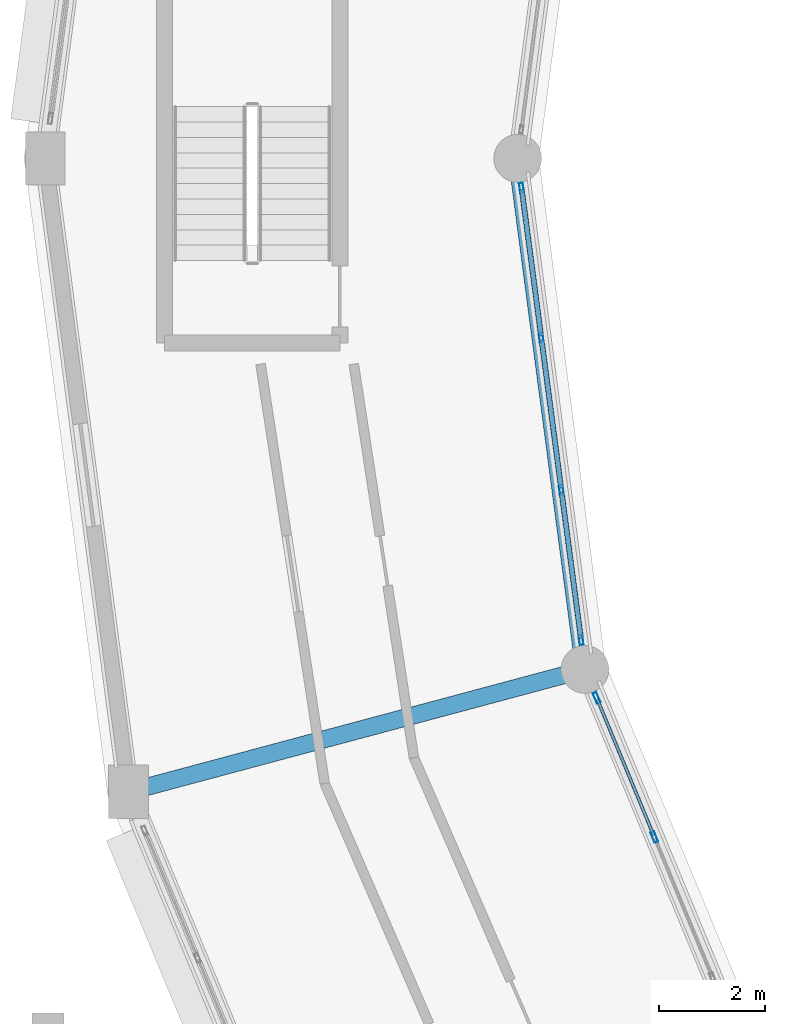
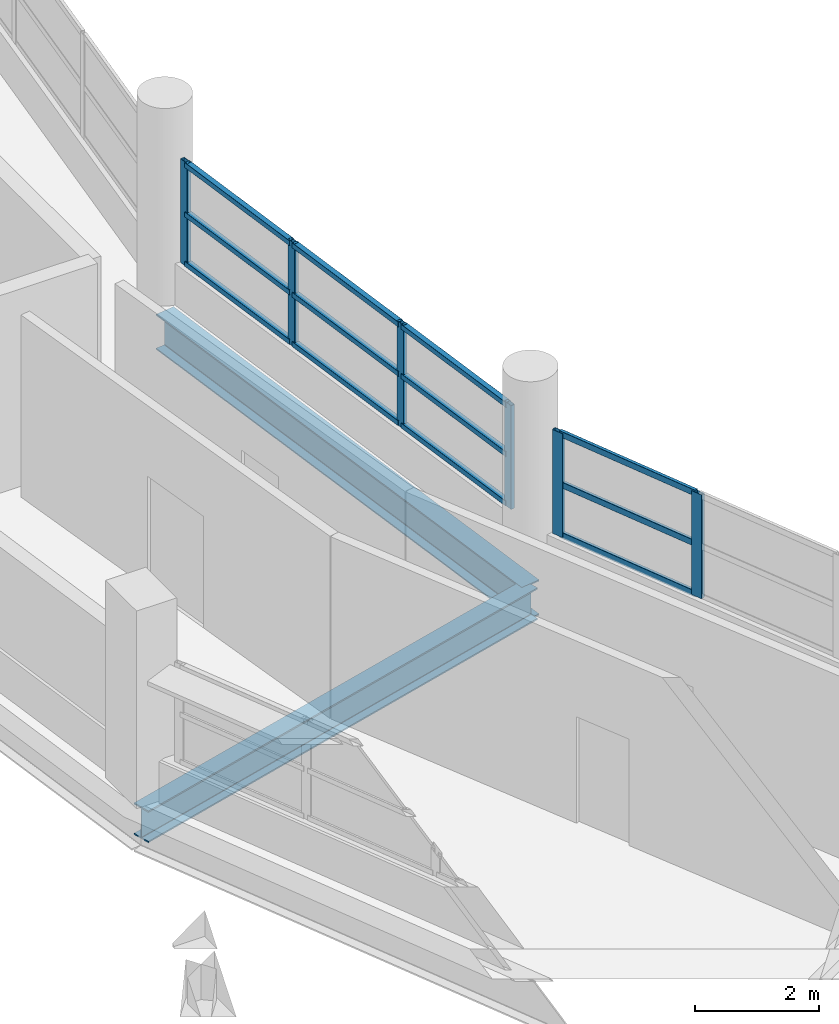
# One storey, part 34 of 108: 18 members, 2 beams, 2 elements without a shape of their own.
"""IFC4 building model written with IfcOpenShell, lengths in metres."""

from ifc_helpers import new_model, si_unit, direction, frame, origin, origin_2d, place, context, subcontext, project, spatial, hollow_rectangle, i_section, extrude, material, layer, layer_set, material_profile, profile_set, type_object, element, aggregate, save


model = new_model("IFC4")

# Units and contexts
model_context = context("Model", 3, precision=1e-05, world=origin(), true_north=direction((0.0, 1.0)))
body_context = subcontext(model_context, "Body", "Model", "MODEL_VIEW")
ifc_project = project(units=[si_unit("LENGTHUNIT", "METRE"), si_unit("AREAUNIT", "SQUARE_METRE"), si_unit("VOLUMEUNIT", "CUBIC_METRE"), si_unit("PLANEANGLEUNIT", "RADIAN"), si_unit("MASSUNIT", "GRAM", prefix="KILO")], contexts=[model_context])

# Site, building, storey
site_placement = place(None, origin())
site = spatial("IfcSite", under=ifc_project, at=site_placement, CompositionType="ELEMENT")
building_placement = place(site_placement, origin())
building = spatial("IfcBuilding", under=site, at=building_placement, Name="Vespera Passage Community Centre", CompositionType="ELEMENT")
storey_placement = place(building_placement, frame((0.0, 0.0, 12.60009765625)))
storey = spatial("IfcBuildingStorey", under=building, at=storey_placement, Name="L03", CompositionType="ELEMENT", Elevation=12.60009765625)

# Beams
ifc_material_1 = material(Name="Steel ASTM A992 Grade 50", Category="steel")
ifc_material_profile_1 = material_profile(ifc_material_1, i_section(OverallWidth=0.32763671875, OverallDepth=0.62841796875, WebThickness=0.0166015625, FlangeThickness=0.027587890625, FilletRadius=0.0126953125, at=origin_2d()), Name="W24X146")
ifc_profile_set_1 = profile_set([ifc_material_profile_1], Name="Steel ASTM A992 Grade 50")
beam_type_1 = type_object("IfcBeamType", Name="BM-G-W24X146", PredefinedType="BEAM", material=ifc_profile_set_1)
beam_1_placement = place(storey_placement, frame((42.067626953125, 55.871826171875, -0.71435546875), z_axis=(-0.9659278487, -0.258811497245, 0.0), x_axis=(0.258811497245, -0.9659278487, 0.0)))
element("IfcBeam", 1, at=beam_1_placement, inside=storey, type_object=beam_type_1, Name="V4 L03 Radial Girder 13", PredefinedType="BEAM", context=body_context, shape_type="SweptSolid", body=[
    extrude(i_section(OverallWidth=0.32763671875, OverallDepth=0.62841796875, WebThickness=0.0166015625, FlangeThickness=0.027587890625, FilletRadius=0.0126953125, at=origin_2d()), origin(), (0.0, 0.0, 1.0), 8.900146484375),
])
ifc_material_2 = material(Name="Steel ASTM A992 Grade 50", Category="steel")
ifc_material_profile_2 = material_profile(ifc_material_2, i_section(OverallWidth=0.3544921875, OverallDepth=0.695556640625, WebThickness=0.015380859375, FlangeThickness=0.024658203125, FilletRadius=0.01513671875, at=origin_2d()), Name="W27X146")
ifc_profile_set_2 = profile_set([ifc_material_profile_2], Name="Steel ASTM A992 Grade 50")
beam_type_2 = type_object("IfcBeamType", Name="BM-SP-W27X146E", PredefinedType="SPANDREL", material=ifc_profile_set_2)
beam_2_placement = place(storey_placement, frame((40.800048828125, 65.5, -0.747802734375), z_axis=(0.130526697639, -0.991444794834, 0.0), x_axis=(0.991444794834, 0.130526697639, 0.0)))
element("IfcBeam", 2, at=beam_2_placement, inside=storey, type_object=beam_type_2, Name="V4 L03 Inner Spandrel 12", PredefinedType="SPANDREL", context=body_context, shape_type="SweptSolid", body=[
    extrude(i_section(OverallWidth=0.3544921875, OverallDepth=0.695556640625, WebThickness=0.015380859375, FlangeThickness=0.024658203125, FilletRadius=0.01513671875, at=origin_2d()), origin(), (0.0, 0.0, 1.0), 9.711181640625),
])

# Curtain wall, members
ifc_material_3 = material(Name="Anodized aluminium 6063-T6", Category="aluminium")
ifc_layer_1 = layer(ifc_material_3, 0.159912109375)
ifc_layer_set_1 = layer_set([ifc_layer_1], Name="Anodized aluminium 6063-T6")
curtain_wall_type_1 = type_object("IfcCurtainWallType", Name="CW-48E", PredefinedType="NOTDEFINED", material=ifc_layer_set_1)
curtain_wall_1_placement = place(storey_placement, origin())
curtain_wall_1 = element("IfcCurtainWall", 3, at=curtain_wall_1_placement, inside=storey, type_object=curtain_wall_type_1, Name="V4 L03 Inner Court Curtain Wall 12", PredefinedType="NOTDEFINED")
ifc_material_4 = material(Name="Anodized aluminium 6063-T6", Category="aluminium")
ifc_material_profile_3 = material_profile(ifc_material_4, hollow_rectangle(XDim=0.074951171875, YDim=0.179931640625, WallThickness=0.0048828125, InnerFilletRadius=0.00244140625, OuterFilletRadius=0.0048828125, at=origin_2d()), Name="ALU180X75X5")
ifc_profile_set_3 = profile_set([ifc_material_profile_3], Name="Anodized aluminium 6063-T6")
member_type_1 = type_object("IfcMemberType", Name="MB-CWM-180E", PredefinedType="MULLION", material=ifc_profile_set_3)
member_1_placement = place(storey_placement, frame((40.87255859375, 64.94970703125, 0.81982421875), z_axis=(0.0, 0.0, 1.0), x_axis=(0.991445387728, 0.1305221941, 0.0)))
member_1 = element("IfcMember", 4, at=member_1_placement, type_object=member_type_1, Name="CW-48E mullion 1", PredefinedType="MULLION", context=body_context, shape_type="SweptSolid", body=[
    extrude(hollow_rectangle(XDim=0.074951171875, YDim=0.179931640625, WallThickness=0.0048828125, InnerFilletRadius=0.00244140625, OuterFilletRadius=0.0048828125, at=origin_2d()), origin(), (0.0, 0.0, 1.0), 2.049560546875),
])
member_2_placement = place(storey_placement, frame((41.2451171875, 62.11962890625, 0.81982421875), z_axis=(0.0, 0.0, 1.0), x_axis=(0.991445387728, 0.1305221941, 0.0)))
member_2 = element("IfcMember", 5, at=member_2_placement, type_object=member_type_1, Name="CW-48E mullion 2", PredefinedType="MULLION", context=body_context, shape_type="SweptSolid", body=[
    extrude(hollow_rectangle(XDim=0.074951171875, YDim=0.179931640625, WallThickness=0.0048828125, InnerFilletRadius=0.00244140625, OuterFilletRadius=0.0048828125, at=origin_2d()), origin(), (0.0, 0.0, 1.0), 2.049560546875),
])
member_3_placement = place(storey_placement, frame((41.62255859375, 59.25244140625, 0.81982421875), z_axis=(0.0, 0.0, 1.0), x_axis=(0.991445387728, 0.1305221941, 0.0)))
member_3 = element("IfcMember", 6, at=member_3_placement, type_object=member_type_1, Name="CW-48E mullion 3", PredefinedType="MULLION", context=body_context, shape_type="SweptSolid", body=[
    extrude(hollow_rectangle(XDim=0.074951171875, YDim=0.179931640625, WallThickness=0.0048828125, InnerFilletRadius=0.00244140625, OuterFilletRadius=0.0048828125, at=origin_2d()), origin(), (0.0, 0.0, 1.0), 2.049560546875),
])
member_4_placement = place(storey_placement, frame((41.9951171875, 56.42236328125, 0.81982421875), z_axis=(0.0, 0.0, 1.0), x_axis=(0.991445387728, 0.1305221941, 0.0)))
member_4 = element("IfcMember", 7, at=member_4_placement, type_object=member_type_1, Name="CW-48E mullion 4", PredefinedType="MULLION", context=body_context, shape_type="SweptSolid", body=[
    extrude(hollow_rectangle(XDim=0.074951171875, YDim=0.179931640625, WallThickness=0.0048828125, InnerFilletRadius=0.00244140625, OuterFilletRadius=0.0048828125, at=origin_2d()), origin(), (0.0, 0.0, 1.0), 2.049560546875),
])

ifc_material_5 = material(Name="Anodized aluminium 6063-T6", Category="aluminium")
ifc_layer_2 = layer(ifc_material_5, 0.159912109375)
ifc_layer_set_2 = layer_set([ifc_layer_2], Name="Anodized aluminium 6063-T6")
curtain_wall_type_2 = type_object("IfcCurtainWallType", Name="CW-40E", PredefinedType="NOTDEFINED", material=ifc_layer_set_2)
curtain_wall_2_placement = place(storey_placement, origin())
curtain_wall_2 = element("IfcCurtainWall", 8, at=curtain_wall_2_placement, inside=storey, type_object=curtain_wall_type_2, Name="V4 L03 Inner Court Curtain Wall 13", PredefinedType="NOTDEFINED")
ifc_material_6 = material(Name="Anodized aluminium 6063-T6", Category="aluminium")
ifc_material_profile_4 = material_profile(ifc_material_6, hollow_rectangle(XDim=0.074951171875, YDim=0.2099609375, WallThickness=0.0048828125, InnerFilletRadius=0.00244140625, OuterFilletRadius=0.0048828125, at=origin_2d()), Name="ALU210X75X5")
ifc_profile_set_4 = profile_set([ifc_material_profile_4], Name="Anodized aluminium 6063-T6")
member_type_2 = type_object("IfcMemberType", Name="MB-CWM-210E", PredefinedType="MULLION", material=ifc_profile_set_4)
member_5_placement = place(storey_placement, frame((42.288330078125, 55.338623046875, 0.81982421875), z_axis=(0.0, 0.0, 1.0), x_axis=(0.923876620096, 0.382690463482, 0.0)))
member_5 = element("IfcMember", 9, at=member_5_placement, type_object=member_type_2, Name="CW-40E mullion 1", PredefinedType="MULLION", context=body_context, shape_type="SweptSolid", body=[
    extrude(hollow_rectangle(XDim=0.074951171875, YDim=0.2099609375, WallThickness=0.0048828125, InnerFilletRadius=0.00244140625, OuterFilletRadius=0.0048828125, at=origin_2d()), origin(), (0.0, 0.0, 1.0), 2.049560546875),
])
member_6_placement = place(storey_placement, frame((43.375244140625, 52.715087890625, 0.81982421875), z_axis=(0.0, 0.0, 1.0), x_axis=(0.923876620096, 0.382690463482, 0.0)))
member_6 = element("IfcMember", 10, at=member_6_placement, type_object=member_type_2, Name="CW-40E mullion 2", PredefinedType="MULLION", context=body_context, shape_type="SweptSolid", body=[
    extrude(hollow_rectangle(XDim=0.074951171875, YDim=0.2099609375, WallThickness=0.0048828125, InnerFilletRadius=0.00244140625, OuterFilletRadius=0.0048828125, at=origin_2d()), origin(), (0.0, 0.0, 1.0), 2.049560546875),
])

# Member
ifc_material_7 = material(Name="Anodized aluminium 6063-T6", Category="aluminium")
ifc_material_profile_5 = material_profile(ifc_material_7, hollow_rectangle(XDim=0.10009765625, YDim=0.10009765625, WallThickness=0.00390625, InnerFilletRadius=0.001953125, OuterFilletRadius=0.00390625, at=origin_2d()), Name="ALU100X100X4")
ifc_profile_set_5 = profile_set([ifc_material_profile_5], Name="Anodized aluminium 6063-T6")
member_type_3 = type_object("IfcMemberType", Name="MB-CWT-100E", PredefinedType="USERDEFINED", material=ifc_profile_set_5)
member_7_placement = place(storey_placement, frame((40.87744140625, 64.912353515625, 0.869873046875), z_axis=(0.130529495678, -0.99144442646, 0.0), x_axis=(0.99144442646, 0.130529495678, 0.0)))
member_7 = element("IfcMember", 11, at=member_7_placement, type_object=member_type_3, Name="CW-48E transom 1.1", ObjectType="TRANSOM", PredefinedType="USERDEFINED", context=body_context, shape_type="SweptSolid", body=[
    extrude(hollow_rectangle(XDim=0.10009765625, YDim=0.10009765625, WallThickness=0.00390625, InnerFilletRadius=0.001953125, OuterFilletRadius=0.00390625, at=origin_2d()), origin(), (0.0, 0.0, 1.0), 2.779296875),
])

member_8_placement = place(storey_placement, frame((40.87744140625, 64.912353515625, 1.844482421875), z_axis=(0.130529495678, -0.99144442646, 0.0), x_axis=(0.99144442646, 0.130529495678, 0.0)))
member_8 = element("IfcMember", 12, at=member_8_placement, type_object=member_type_3, Name="CW-48E transom 1.2", ObjectType="TRANSOM", PredefinedType="USERDEFINED", context=body_context, shape_type="SweptSolid", body=[
    extrude(hollow_rectangle(XDim=0.10009765625, YDim=0.10009765625, WallThickness=0.00390625, InnerFilletRadius=0.001953125, OuterFilletRadius=0.00390625, at=origin_2d()), origin(), (0.0, 0.0, 1.0), 2.779296875),
])

member_9_placement = place(storey_placement, frame((40.87744140625, 64.912353515625, 2.8193359375), z_axis=(0.130529495678, -0.99144442646, 0.0), x_axis=(0.99144442646, 0.130529495678, 0.0)))
member_9 = element("IfcMember", 13, at=member_9_placement, type_object=member_type_3, Name="CW-48E transom 1.3", ObjectType="TRANSOM", PredefinedType="USERDEFINED", context=body_context, shape_type="SweptSolid", body=[
    extrude(hollow_rectangle(XDim=0.10009765625, YDim=0.10009765625, WallThickness=0.00390625, InnerFilletRadius=0.001953125, OuterFilletRadius=0.00390625, at=origin_2d()), origin(), (0.0, 0.0, 1.0), 2.779296875),
])

member_10_placement = place(storey_placement, frame((41.25, 62.082275390625, 0.869873046875), z_axis=(0.130528499327, -0.991444557635, 0.0), x_axis=(0.991444557635, 0.130528499327, 0.0)))
member_10 = element("IfcMember", 14, at=member_10_placement, type_object=member_type_3, Name="CW-48E transom 2.1", ObjectType="TRANSOM", PredefinedType="USERDEFINED", context=body_context, shape_type="SweptSolid", body=[
    extrude(hollow_rectangle(XDim=0.10009765625, YDim=0.10009765625, WallThickness=0.00390625, InnerFilletRadius=0.001953125, OuterFilletRadius=0.00390625, at=origin_2d()), origin(), (0.0, 0.0, 1.0), 2.81689453125),
])

member_11_placement = place(storey_placement, frame((41.25, 62.082275390625, 1.844482421875), z_axis=(0.130528499327, -0.991444557635, 0.0), x_axis=(0.991444557635, 0.130528499327, 0.0)))
member_11 = element("IfcMember", 15, at=member_11_placement, type_object=member_type_3, Name="CW-48E transom 2.2", ObjectType="TRANSOM", PredefinedType="USERDEFINED", context=body_context, shape_type="SweptSolid", body=[
    extrude(hollow_rectangle(XDim=0.10009765625, YDim=0.10009765625, WallThickness=0.00390625, InnerFilletRadius=0.001953125, OuterFilletRadius=0.00390625, at=origin_2d()), origin(), (0.0, 0.0, 1.0), 2.81689453125),
])

member_12_placement = place(storey_placement, frame((41.25, 62.082275390625, 2.8193359375), z_axis=(0.130528499327, -0.991444557635, 0.0), x_axis=(0.991444557635, 0.130528499327, 0.0)))
member_12 = element("IfcMember", 16, at=member_12_placement, type_object=member_type_3, Name="CW-48E transom 2.3", ObjectType="TRANSOM", PredefinedType="USERDEFINED", context=body_context, shape_type="SweptSolid", body=[
    extrude(hollow_rectangle(XDim=0.10009765625, YDim=0.10009765625, WallThickness=0.00390625, InnerFilletRadius=0.001953125, OuterFilletRadius=0.00390625, at=origin_2d()), origin(), (0.0, 0.0, 1.0), 2.81689453125),
])

member_13_placement = place(storey_placement, frame((41.62744140625, 59.215087890625, 0.869873046875), z_axis=(0.130529495678, -0.99144442646, 0.0), x_axis=(0.99144442646, 0.130529495678, 0.0)))
member_13 = element("IfcMember", 17, at=member_13_placement, type_object=member_type_3, Name="CW-48E transom 3.1", ObjectType="TRANSOM", PredefinedType="USERDEFINED", context=body_context, shape_type="SweptSolid", body=[
    extrude(hollow_rectangle(XDim=0.10009765625, YDim=0.10009765625, WallThickness=0.00390625, InnerFilletRadius=0.001953125, OuterFilletRadius=0.00390625, at=origin_2d()), origin(), (0.0, 0.0, 1.0), 2.779296875),
])

member_14_placement = place(storey_placement, frame((41.62744140625, 59.215087890625, 1.844482421875), z_axis=(0.130529495678, -0.99144442646, 0.0), x_axis=(0.99144442646, 0.130529495678, 0.0)))
member_14 = element("IfcMember", 18, at=member_14_placement, type_object=member_type_3, Name="CW-48E transom 3.2", ObjectType="TRANSOM", PredefinedType="USERDEFINED", context=body_context, shape_type="SweptSolid", body=[
    extrude(hollow_rectangle(XDim=0.10009765625, YDim=0.10009765625, WallThickness=0.00390625, InnerFilletRadius=0.001953125, OuterFilletRadius=0.00390625, at=origin_2d()), origin(), (0.0, 0.0, 1.0), 2.779296875),
])

member_15_placement = place(storey_placement, frame((41.62744140625, 59.215087890625, 2.8193359375), z_axis=(0.130529495678, -0.99144442646, 0.0), x_axis=(0.99144442646, 0.130529495678, 0.0)))
member_15 = element("IfcMember", 19, at=member_15_placement, type_object=member_type_3, Name="CW-48E transom 3.3", ObjectType="TRANSOM", PredefinedType="USERDEFINED", context=body_context, shape_type="SweptSolid", body=[
    extrude(hollow_rectangle(XDim=0.10009765625, YDim=0.10009765625, WallThickness=0.00390625, InnerFilletRadius=0.001953125, OuterFilletRadius=0.00390625, at=origin_2d()), origin(), (0.0, 0.0, 1.0), 2.779296875),
])

aggregate(curtain_wall_1, [member_1, member_2, member_3, member_4, member_7, member_8, member_9, member_10, member_11, member_12, member_13, member_14, member_15])

ifc_material_8 = material(Name="Anodized aluminium 6063-T6", Category="aluminium")
ifc_material_profile_6 = material_profile(ifc_material_8, hollow_rectangle(XDim=0.06005859375, YDim=0.1201171875, WallThickness=0.00390625, InnerFilletRadius=0.001953125, OuterFilletRadius=0.00390625, at=origin_2d()), Name="ALU120X60X4")
ifc_profile_set_6 = profile_set([ifc_material_profile_6], Name="Anodized aluminium 6063-T6")
member_type_4 = type_object("IfcMemberType", Name="MB-CWT-120E", PredefinedType="USERDEFINED", material=ifc_profile_set_6)
member_16_placement = place(storey_placement, frame((42.302734375, 55.303955078125, 0.849853515625), z_axis=(0.382720946689, -0.923863992677, 0.0), x_axis=(0.923863992677, 0.382720946689, 0.0)))
member_16 = element("IfcMember", 20, at=member_16_placement, type_object=member_type_4, Name="CW-40E transom 1.1", ObjectType="TRANSOM", PredefinedType="USERDEFINED", context=body_context, shape_type="SweptSolid", body=[
    extrude(hollow_rectangle(XDim=0.06005859375, YDim=0.1201171875, WallThickness=0.00390625, InnerFilletRadius=0.001953125, OuterFilletRadius=0.00390625, at=origin_2d()), origin(), (0.0, 0.0, 1.0), 2.7646484375),
])

member_17_placement = place(storey_placement, frame((42.302734375, 55.303955078125, 1.844482421875), z_axis=(0.382720946689, -0.923863992677, 0.0), x_axis=(0.923863992677, 0.382720946689, 0.0)))
member_17 = element("IfcMember", 21, at=member_17_placement, type_object=member_type_4, Name="CW-40E transom 1.2", ObjectType="TRANSOM", PredefinedType="USERDEFINED", context=body_context, shape_type="SweptSolid", body=[
    extrude(hollow_rectangle(XDim=0.06005859375, YDim=0.1201171875, WallThickness=0.00390625, InnerFilletRadius=0.001953125, OuterFilletRadius=0.00390625, at=origin_2d()), origin(), (0.0, 0.0, 1.0), 2.7646484375),
])

member_18_placement = place(storey_placement, frame((42.302734375, 55.303955078125, 2.83935546875), z_axis=(0.382720946689, -0.923863992677, 0.0), x_axis=(0.923863992677, 0.382720946689, 0.0)))
member_18 = element("IfcMember", 22, at=member_18_placement, type_object=member_type_4, Name="CW-40E transom 1.3", ObjectType="TRANSOM", PredefinedType="USERDEFINED", context=body_context, shape_type="SweptSolid", body=[
    extrude(hollow_rectangle(XDim=0.06005859375, YDim=0.1201171875, WallThickness=0.00390625, InnerFilletRadius=0.001953125, OuterFilletRadius=0.00390625, at=origin_2d()), origin(), (0.0, 0.0, 1.0), 2.7646484375),
])

aggregate(curtain_wall_2, [member_5, member_6, member_16, member_17, member_18])

save(model, "model.ifc")
